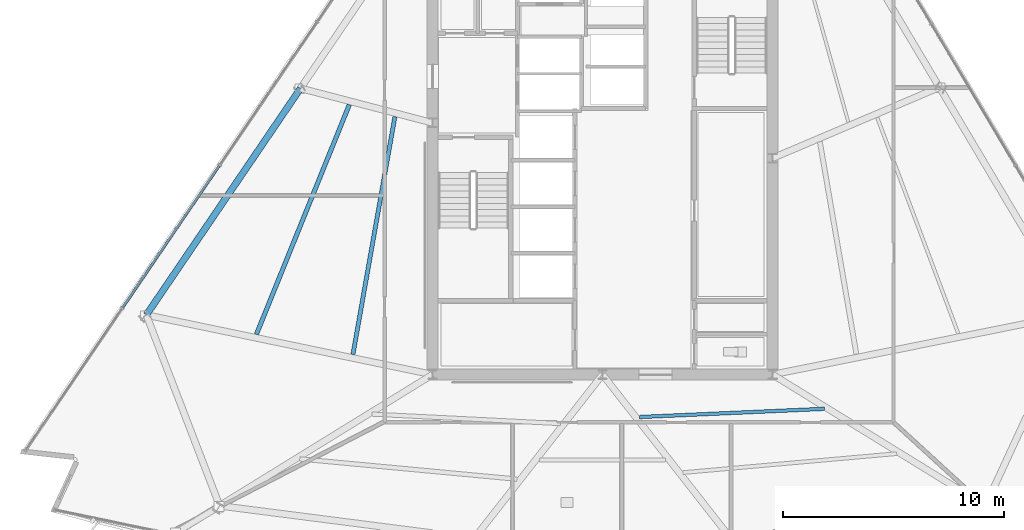
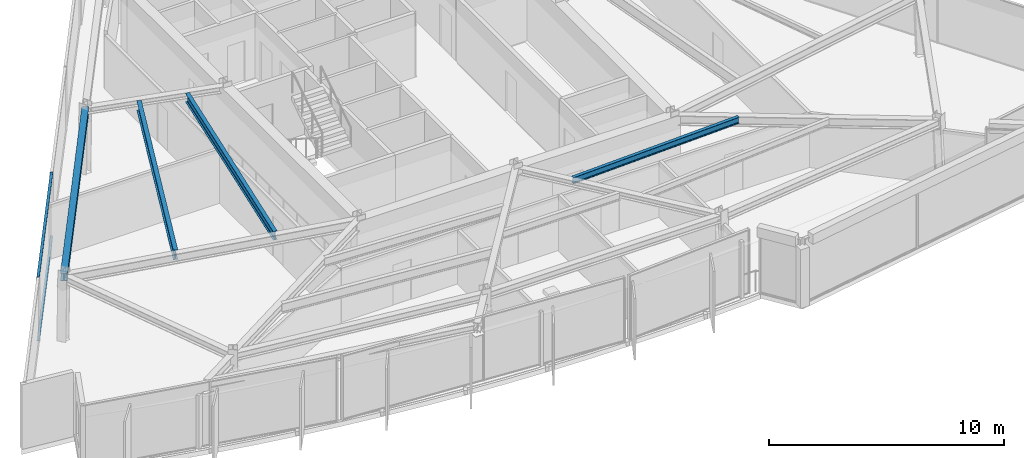
# One storey, part 3 of 13: 4 beams, 2 members, 1 element without a shape of its own.
"""IFC4 building model written with IfcOpenShell, lengths in metres."""

from ifc_helpers import new_model, si_unit, direction, frame, origin, origin_2d, place, context, subcontext, project, spatial, rectangle, i_section, extrude, material, material_profile, profile_set, type_object, element, aggregate, save


model = new_model("IFC4")

# Units and contexts
model_context = context("Model", 3, precision=1e-05, world=origin(), true_north=direction((0.0, 1.0)))
body_context = subcontext(model_context, "Body", "Model", "MODEL_VIEW")
ifc_project = project(units=[si_unit("LENGTHUNIT", "METRE"), si_unit("AREAUNIT", "SQUARE_METRE"), si_unit("VOLUMEUNIT", "CUBIC_METRE"), si_unit("PLANEANGLEUNIT", "RADIAN"), si_unit("MASSUNIT", "GRAM", prefix="KILO")], contexts=[model_context])

# Site, building, storey
site_placement = place(None, origin())
site = spatial("IfcSite", under=ifc_project, at=site_placement, CompositionType="ELEMENT")
building_placement = place(site_placement, origin())
building = spatial("IfcBuilding", under=site, at=building_placement, Name="Savorim Split Tower", CompositionType="ELEMENT")
storey_placement = place(building_placement, frame((0.0, 0.0, 174.60009765625)))
storey = spatial("IfcBuildingStorey", under=building, at=storey_placement, Name="L46", CompositionType="ELEMENT", Elevation=174.60009765625)

# Beams
ifc_material_1 = material(Name="Steel S355", Category="steel")
ifc_material_profile_1 = material_profile(ifc_material_1, i_section(OverallWidth=0.159912109375, OverallDepth=0.330078125, WebThickness=0.007568359375, FlangeThickness=0.011474609375, FilletRadius=0.01806640625, at=origin_2d()), Name="IPE 330")
ifc_profile_set_1 = profile_set([ifc_material_profile_1], Name="Steel S355")
beam_type_1 = type_object("IfcBeamType", Name="BM-JST-IPE330", PredefinedType="JOIST", material=ifc_profile_set_1)
beam_1_placement = place(storey_placement, frame((1.670654296875, -11.322509765625, 3.184814453125), z_axis=(0.999022456247, 0.044205564291, 0.0), x_axis=(-0.044205564291, 0.999022456247, 0.0)))
element("IfcBeam", 1, at=beam_1_placement, inside=storey, type_object=beam_type_1, Name="L46 Secondary Floor Joist JS-05", PredefinedType="JOIST", context=body_context, shape_type="SweptSolid", body=[
    extrude(i_section(OverallWidth=0.159912109375, OverallDepth=0.330078125, WebThickness=0.007568359375, FlangeThickness=0.011474609375, FilletRadius=0.01806640625, at=origin_2d()), origin(), (0.0, 0.0, 1.0), 8.3837890625),
])
ifc_material_profile_2 = material_profile(ifc_material_1, i_section(OverallWidth=0.18994140625, OverallDepth=0.449951171875, WebThickness=0.009521484375, FlangeThickness=0.0146484375, FilletRadius=0.02099609375, at=origin_2d()), Name="IPE 450")
ifc_profile_set_2 = profile_set([ifc_material_profile_2], Name="Steel S355")
beam_type_2 = type_object("IfcBeamType", Name="BM-JST-IPE450", PredefinedType="JOIST", material=ifc_profile_set_2)
beam_2_placement = place(storey_placement, frame((-9.400634765625, 2.27978515625, 3.125), z_axis=(-0.173734377268, -0.984792549807, 0.0), x_axis=(0.984792549807, -0.173734377268, 0.0)))
element("IfcBeam", 2, at=beam_2_placement, inside=storey, type_object=beam_type_2, Name="L46 Secondary Floor Joist JS-11", PredefinedType="JOIST", context=body_context, shape_type="SweptSolid", body=[
    extrude(i_section(OverallWidth=0.18994140625, OverallDepth=0.449951171875, WebThickness=0.009521484375, FlangeThickness=0.0146484375, FilletRadius=0.02099609375, at=origin_2d()), origin(), (0.0, 0.0, 1.0), 10.932861328125),
])
ifc_material_profile_3 = material_profile(ifc_material_1, i_section(OverallWidth=0.199951171875, OverallDepth=0.5, WebThickness=0.01025390625, FlangeThickness=0.01611328125, FilletRadius=0.02099609375, at=origin_2d()), Name="IPE 500")
ifc_profile_set_3 = profile_set([ifc_material_profile_3], Name="Steel S355")
beam_type_3 = type_object("IfcBeamType", Name="BM-JST-IPE500", PredefinedType="JOIST", material=ifc_profile_set_3)
beam_3_placement = place(storey_placement, frame((-11.46435546875, 2.8203125, 3.099853515625), z_axis=(-0.375166044554, -0.926957625253, 0.0), x_axis=(0.926957625253, -0.375166044554, 0.0)))
element("IfcBeam", 3, at=beam_3_placement, inside=storey, type_object=beam_type_3, Name="L46 Secondary Floor Joist JS-10", PredefinedType="JOIST", context=body_context, shape_type="SweptSolid", body=[
    extrude(i_section(OverallWidth=0.199951171875, OverallDepth=0.5, WebThickness=0.01025390625, FlangeThickness=0.01611328125, FilletRadius=0.02099609375, at=origin_2d()), origin(), (0.0, 0.0, 1.0), 11.21826171875),
])
ifc_material_profile_4 = material_profile(ifc_material_1, i_section(OverallWidth=0.300048828125, OverallDepth=0.389892578125, WebThickness=0.010986328125, FlangeThickness=0.01904296875, FilletRadius=0.027099609375, at=origin_2d()), Name="HEA 400")
ifc_profile_set_4 = profile_set([ifc_material_profile_4], Name="Steel S355")
beam_type_4 = type_object("IfcBeamType", Name="BM-SPN-HEA400", PredefinedType="SPANDREL", material=ifc_profile_set_4)
beam_4_placement = place(storey_placement, frame((-13.6748046875, 3.5625, 3.15478515625), z_axis=(-0.562446114251, -0.826833942557, 0.0), x_axis=(0.826833942557, -0.562446114251, 0.0)))
element("IfcBeam", 4, at=beam_4_placement, inside=storey, type_object=beam_type_4, Name="L46 Perimeter Spandrel Beam 9", PredefinedType="SPANDREL", context=body_context, shape_type="SweptSolid", body=[
    extrude(i_section(OverallWidth=0.300048828125, OverallDepth=0.389892578125, WebThickness=0.010986328125, FlangeThickness=0.01904296875, FilletRadius=0.027099609375, at=origin_2d()), origin(), (0.0, 0.0, 1.0), 12.41357421875),
])

# Curtain wall, members
ifc_material_2 = material(Name="Dark Ceramic-Fritted Insulated Glass", Category="glass")
curtain_wall_type = type_object("IfcCurtainWallType", Name="CW-TWR-FRIT-B", PredefinedType="NOTDEFINED", material=ifc_material_2)
curtain_wall_placement = place(storey_placement, origin())
curtain_wall = element("IfcCurtainWall", 5, at=curtain_wall_placement, inside=storey, type_object=curtain_wall_type, Name="L46 Curtain Wall CW-L46-WEST", PredefinedType="NOTDEFINED")
ifc_material_3 = material(Name="Charcoal Anodised Aluminium", Category="aluminium")
ifc_material_profile_5 = material_profile(ifc_material_3, rectangle(XDim=0.1201171875, YDim=0.050048828125, at=origin_2d()), Name="ALU-T 120x50")
ifc_profile_set_5 = profile_set([ifc_material_profile_5], Name="Charcoal Anodised Aluminium")
member_type = type_object("IfcMemberType", Name="CWT-120x50", PredefinedType="USERDEFINED", material=ifc_profile_set_5)
member_1_placement = place(storey_placement, frame((-17.35302734375, 0.064697265625, 0.02490234375), z_axis=(-0.562475680235, -0.826813829798, 0.0), x_axis=(0.826813829798, -0.562475680235, 0.0)))
member_1 = element("IfcMember", 6, at=member_1_placement, type_object=member_type, Name="CW-03 transom 3.1", ObjectType="TRANSOM", PredefinedType="USERDEFINED", context=body_context, shape_type="SweptSolid", body=[
    extrude(rectangle(XDim=0.1201171875, YDim=0.050048828125, at=origin_2d()), origin(), (0.0, 0.0, 1.0), 7.779296875),
])
member_2_placement = place(storey_placement, frame((-17.35302734375, 0.064697265625, 3.324951171875), z_axis=(-0.562475680235, -0.826813829798, 0.0), x_axis=(0.826813829798, -0.562475680235, 0.0)))
member_2 = element("IfcMember", 7, at=member_2_placement, type_object=member_type, Name="CW-03 transom 3.2", ObjectType="TRANSOM", PredefinedType="USERDEFINED", context=body_context, shape_type="SweptSolid", body=[
    extrude(rectangle(XDim=0.1201171875, YDim=0.050048828125, at=origin_2d()), origin(), (0.0, 0.0, 1.0), 7.779296875),
])
aggregate(curtain_wall, [member_1, member_2])

save(model, "model.ifc")
